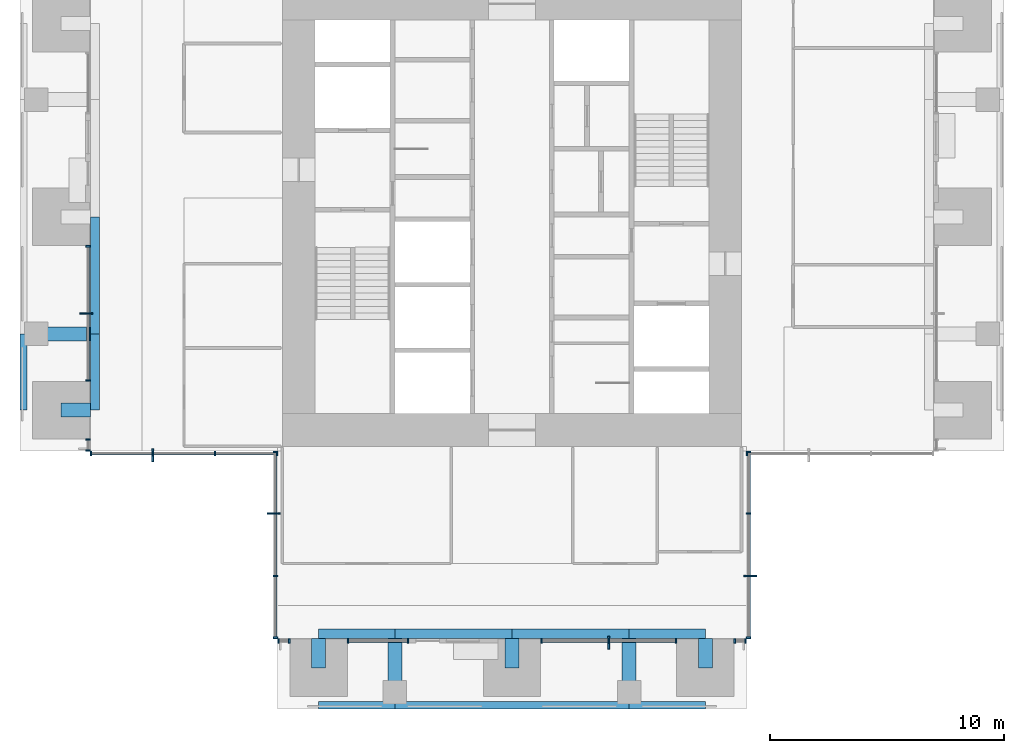
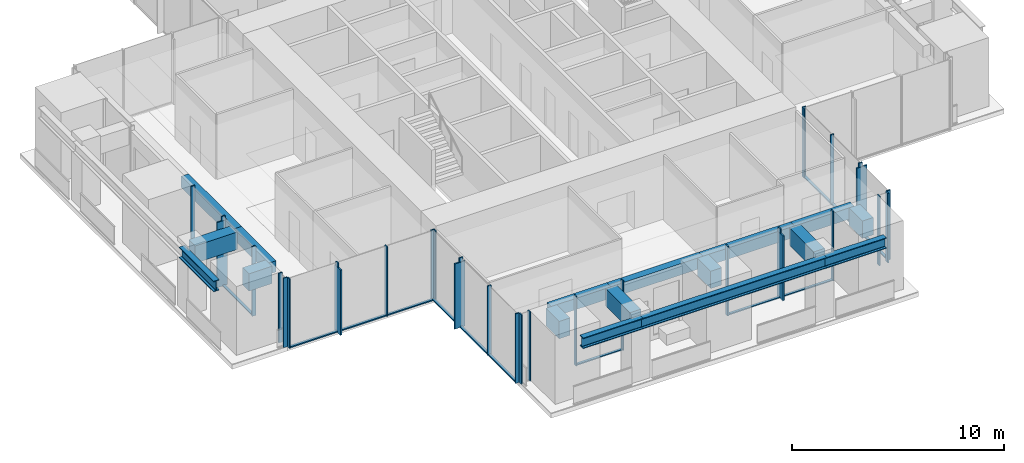
# One storey, part 2 of 17: 46 members, 17 beams, 10 elements without a shape of their own.
"""IFC4 building model written with IfcOpenShell, lengths in metres."""

from ifc_helpers import new_model, si_unit, direction, frame, origin, origin_2d, place, context, subcontext, project, spatial, rectangle, i_section, extrude, material, material_profile, profile_set, type_object, element, aggregate, save


model = new_model("IFC4")

# Units and contexts
model_context = context("Model", 3, precision=1e-05, world=origin(), true_north=direction((0.0, 1.0)))
body_context = subcontext(model_context, "Body", "Model", "MODEL_VIEW")
ifc_project = project(units=[si_unit("LENGTHUNIT", "METRE"), si_unit("AREAUNIT", "SQUARE_METRE"), si_unit("VOLUMEUNIT", "CUBIC_METRE"), si_unit("PLANEANGLEUNIT", "RADIAN"), si_unit("MASSUNIT", "GRAM", prefix="KILO")], contexts=[model_context])

# Site, building, storey
site_placement = place(None, origin())
site = spatial("IfcSite", under=ifc_project, at=site_placement, CompositionType="ELEMENT")
building_placement = place(site_placement, origin())
building = spatial("IfcBuilding", under=site, at=building_placement, Name="Svetlomir Tower", CompositionType="ELEMENT")
storey_placement = place(building_placement, frame((0.0, 0.0, 182.5)))
storey = spatial("IfcBuildingStorey", under=building, at=storey_placement, Name="L43", CompositionType="ELEMENT", Elevation=182.5)

# Curtain wall, member
ifc_material_1 = material(Name="Bronze anodised aluminium curtain wall", Category="aluminium")
curtain_wall_type = type_object("IfcCurtainWallType", Name="CURTAIN WALL CW1 TOWER OFFICE", PredefinedType="NOTDEFINED", material=ifc_material_1)
curtain_wall_1_placement = place(storey_placement, origin())
curtain_wall_1 = element("IfcCurtainWall", 1, at=curtain_wall_1_placement, inside=storey, type_object=curtain_wall_type, Name="Curtain wall CW1 L43", PredefinedType="NOTDEFINED")
ifc_material_2 = material(Name="Bronze anodised aluminium", Category="aluminium")
ifc_material_profile_1 = material_profile(ifc_material_2, rectangle(XDim=0.080078125, YDim=0.550048828125, at=origin_2d()), Name="FIN 80x550")
ifc_profile_set_1 = profile_set([ifc_material_profile_1], Name="Bronze anodised aluminium 6063-T6")
member_type_1 = type_object("IfcMemberType", Name="BRONZE FIN 80x550", PredefinedType="USERDEFINED", material=ifc_profile_set_1)
member_1_placement = place(storey_placement, frame((25.125, 2.824951171875, 0.0), z_axis=(0.0, 0.0, 1.0), x_axis=(1.0, 0.0, 0.0)))
member_1 = element("IfcMember", 2, at=member_1_placement, type_object=member_type_1, Name="Bronze fin L43", ObjectType="FIN", PredefinedType="USERDEFINED", context=body_context, shape_type="SweptSolid", body=[
    extrude(rectangle(XDim=0.080078125, YDim=0.550048828125, at=origin_2d()), origin(), (0.0, 0.0, 1.0), 3.75),
])

curtain_wall_2_placement = place(storey_placement, origin())
curtain_wall_2 = element("IfcCurtainWall", 3, at=curtain_wall_2_placement, inside=storey, type_object=curtain_wall_type, Name="Curtain wall CW1 L43", PredefinedType="NOTDEFINED")
member_2_placement = place(storey_placement, frame((31.175048828125, 5.666748046875, 0.0), z_axis=(0.0, 0.0, 1.0), x_axis=(0.0, 1.0, 0.0)))
member_2 = element("IfcMember", 4, at=member_2_placement, type_object=member_type_1, Name="Bronze fin L43", ObjectType="FIN", PredefinedType="USERDEFINED", context=body_context, shape_type="SweptSolid", body=[
    extrude(rectangle(XDim=0.080078125, YDim=0.550048828125, at=origin_2d()), origin(), (0.0, 0.0, 1.0), 3.75),
])

curtain_wall_3_placement = place(storey_placement, origin())
curtain_wall_3 = element("IfcCurtainWall", 5, at=curtain_wall_3_placement, inside=storey, type_object=curtain_wall_type, Name="Curtain wall CW1 L43", PredefinedType="NOTDEFINED")
member_3_placement = place(storey_placement, frame((2.824951171875, 16.875, 0.0), z_axis=(0.0, 0.0, 1.0), x_axis=(0.0, 1.0, 0.0)))
member_3 = element("IfcMember", 6, at=member_3_placement, type_object=member_type_1, Name="Bronze fin L43", ObjectType="FIN", PredefinedType="USERDEFINED", context=body_context, shape_type="SweptSolid", body=[
    extrude(rectangle(XDim=0.080078125, YDim=0.550048828125, at=origin_2d()), origin(), (0.0, 0.0, 1.0), 3.75),
])

curtain_wall_4_placement = place(storey_placement, origin())
curtain_wall_4 = element("IfcCurtainWall", 7, at=curtain_wall_4_placement, inside=storey, type_object=curtain_wall_type, Name="Curtain wall CW1 L43", PredefinedType="NOTDEFINED")
member_4_placement = place(storey_placement, frame((5.666748046875, 10.824951171875, 0.0), z_axis=(0.0, 0.0, 1.0), x_axis=(1.0, 0.0, 0.0)))
member_4 = element("IfcMember", 8, at=member_4_placement, type_object=member_type_1, Name="Bronze fin L43", ObjectType="FIN", PredefinedType="USERDEFINED", context=body_context, shape_type="SweptSolid", body=[
    extrude(rectangle(XDim=0.080078125, YDim=0.550048828125, at=origin_2d()), origin(), (0.0, 0.0, 1.0), 3.75),
])

curtain_wall_5_placement = place(storey_placement, origin())
curtain_wall_5 = element("IfcCurtainWall", 9, at=curtain_wall_5_placement, inside=storey, type_object=curtain_wall_type, Name="Curtain wall CW1 L43", PredefinedType="NOTDEFINED")
member_5_placement = place(storey_placement, frame((10.824951171875, 8.333251953125, 0.0), z_axis=(0.0, 0.0, 1.0), x_axis=(0.0, 1.0, 0.0)))
member_5 = element("IfcMember", 10, at=member_5_placement, type_object=member_type_1, Name="Bronze fin L43", ObjectType="FIN", PredefinedType="USERDEFINED", context=body_context, shape_type="SweptSolid", body=[
    extrude(rectangle(XDim=0.080078125, YDim=0.550048828125, at=origin_2d()), origin(), (0.0, 0.0, 1.0), 3.75),
])

# Curtain wall, members
curtain_wall_6_placement = place(storey_placement, origin())
curtain_wall_6 = element("IfcCurtainWall", 11, at=curtain_wall_6_placement, inside=storey, type_object=curtain_wall_type, Name="Curtain wall CW1 L43", PredefinedType="NOTDEFINED")
ifc_material_3 = material(Name="Bronze anodised aluminium", Category="aluminium")
ifc_material_profile_2 = material_profile(ifc_material_3, rectangle(XDim=0.06494140625, YDim=0.199951171875, at=origin_2d()), Name="AL 65x200")
ifc_profile_set_2 = profile_set([ifc_material_profile_2], Name="Bronze anodised aluminium 6063-T6")
member_type_2 = type_object("IfcMemberType", Name="CW1 MULLION 65x200", PredefinedType="MULLION", material=ifc_profile_set_2)
member_6_placement = place(storey_placement, frame((11.032470703125, 2.89990234375, 0.0), z_axis=(0.0, 0.0, 1.0), x_axis=(1.0, 0.0, 0.0)))
member_6 = element("IfcMember", 12, at=member_6_placement, type_object=member_type_2, Name="CW1 mullion 1", PredefinedType="MULLION", context=body_context, shape_type="SweptSolid", body=[
    extrude(rectangle(XDim=0.06494140625, YDim=0.199951171875, at=origin_2d()), origin(), (0.0, 0.0, 1.0), 4.0),
])
member_7_placement = place(storey_placement, frame((11.492431640625, 2.89990234375, 0.0), z_axis=(0.0, 0.0, 1.0), x_axis=(1.0, 0.0, 0.0)))
member_7 = element("IfcMember", 13, at=member_7_placement, type_object=member_type_2, Name="CW1 mullion 2", PredefinedType="MULLION", context=body_context, shape_type="SweptSolid", body=[
    extrude(rectangle(XDim=0.06494140625, YDim=0.199951171875, at=origin_2d()), origin(), (0.0, 0.0, 1.0), 4.0),
])
aggregate(curtain_wall_6, [member_6, member_7])

curtain_wall_7_placement = place(storey_placement, origin())
curtain_wall_7 = element("IfcCurtainWall", 14, at=curtain_wall_7_placement, inside=storey, type_object=curtain_wall_type, Name="Curtain wall CW1 L43", PredefinedType="NOTDEFINED")
member_8_placement = place(storey_placement, frame((14.007568359375, 2.89990234375, 0.0), z_axis=(0.0, 0.0, 1.0), x_axis=(1.0, 0.0, 0.0)))
member_8 = element("IfcMember", 15, at=member_8_placement, type_object=member_type_2, Name="CW1 mullion 1", PredefinedType="MULLION", context=body_context, shape_type="SweptSolid", body=[
    extrude(rectangle(XDim=0.06494140625, YDim=0.199951171875, at=origin_2d()), origin(), (0.0, 0.0, 1.0), 4.0),
])
member_9_placement = place(storey_placement, frame((16.5673828125, 2.89990234375, 0.0), z_axis=(0.0, 0.0, 1.0), x_axis=(1.0, 0.0, 0.0)))
member_9 = element("IfcMember", 16, at=member_9_placement, type_object=member_type_2, Name="CW1 mullion 2", PredefinedType="MULLION", context=body_context, shape_type="SweptSolid", body=[
    extrude(rectangle(XDim=0.06494140625, YDim=0.199951171875, at=origin_2d()), origin(), (0.0, 0.0, 1.0), 4.0),
])

# Member
member_10_placement = place(storey_placement, frame((22.257568359375, 2.89990234375, 0.0), z_axis=(0.0, 0.0, 1.0), x_axis=(1.0, 0.0, 0.0)))
member_10 = element("IfcMember", 17, at=member_10_placement, type_object=member_type_2, Name="CW1 mullion 1", PredefinedType="MULLION", context=body_context, shape_type="SweptSolid", body=[
    extrude(rectangle(XDim=0.06494140625, YDim=0.199951171875, at=origin_2d()), origin(), (0.0, 0.0, 1.0), 4.0),
])

member_11_placement = place(storey_placement, frame((25.125, 2.89990234375, 0.0), z_axis=(0.0, 0.0, 1.0), x_axis=(1.0, 0.0, 0.0)))
member_11 = element("IfcMember", 18, at=member_11_placement, type_object=member_type_2, Name="CW1 mullion 2", PredefinedType="MULLION", context=body_context, shape_type="SweptSolid", body=[
    extrude(rectangle(XDim=0.06494140625, YDim=0.199951171875, at=origin_2d()), origin(), (0.0, 0.0, 1.0), 4.0),
])

member_12_placement = place(storey_placement, frame((27.992431640625, 2.89990234375, 0.0), z_axis=(0.0, 0.0, 1.0), x_axis=(1.0, 0.0, 0.0)))
member_12 = element("IfcMember", 19, at=member_12_placement, type_object=member_type_2, Name="CW1 mullion 3", PredefinedType="MULLION", context=body_context, shape_type="SweptSolid", body=[
    extrude(rectangle(XDim=0.06494140625, YDim=0.199951171875, at=origin_2d()), origin(), (0.0, 0.0, 1.0), 4.0),
])

# Curtain wall, members
curtain_wall_8_placement = place(storey_placement, origin())
curtain_wall_8 = element("IfcCurtainWall", 20, at=curtain_wall_8_placement, inside=storey, type_object=curtain_wall_type, Name="Curtain wall CW1 L43", PredefinedType="NOTDEFINED")
member_13_placement = place(storey_placement, frame((30.507568359375, 2.89990234375, 0.0), z_axis=(0.0, 0.0, 1.0), x_axis=(1.0, 0.0, 0.0)))
member_13 = element("IfcMember", 21, at=member_13_placement, type_object=member_type_2, Name="CW1 mullion 1", PredefinedType="MULLION", context=body_context, shape_type="SweptSolid", body=[
    extrude(rectangle(XDim=0.06494140625, YDim=0.199951171875, at=origin_2d()), origin(), (0.0, 0.0, 1.0), 4.0),
])
member_14_placement = place(storey_placement, frame((30.967529296875, 2.89990234375, 0.0), z_axis=(0.0, 0.0, 1.0), x_axis=(1.0, 0.0, 0.0)))
member_14 = element("IfcMember", 22, at=member_14_placement, type_object=member_type_2, Name="CW1 mullion 2", PredefinedType="MULLION", context=body_context, shape_type="SweptSolid", body=[
    extrude(rectangle(XDim=0.06494140625, YDim=0.199951171875, at=origin_2d()), origin(), (0.0, 0.0, 1.0), 4.0),
])
aggregate(curtain_wall_8, [member_13, member_14])

# Member
member_15_placement = place(storey_placement, frame((31.10009765625, 3.032470703125, 0.0), z_axis=(0.0, 0.0, 1.0), x_axis=(0.0, 1.0, 0.0)))
member_15 = element("IfcMember", 23, at=member_15_placement, type_object=member_type_2, Name="CW1 mullion 1", PredefinedType="MULLION", context=body_context, shape_type="SweptSolid", body=[
    extrude(rectangle(XDim=0.06494140625, YDim=0.199951171875, at=origin_2d()), origin(), (0.0, 0.0, 1.0), 4.0),
])

member_16_placement = place(storey_placement, frame((31.10009765625, 5.666748046875, 0.0), z_axis=(0.0, 0.0, 1.0), x_axis=(0.0, 1.0, 0.0)))
member_16 = element("IfcMember", 24, at=member_16_placement, type_object=member_type_2, Name="CW1 mullion 2", PredefinedType="MULLION", context=body_context, shape_type="SweptSolid", body=[
    extrude(rectangle(XDim=0.06494140625, YDim=0.199951171875, at=origin_2d()), origin(), (0.0, 0.0, 1.0), 4.0),
])

member_17_placement = place(storey_placement, frame((31.10009765625, 8.333251953125, 0.0), z_axis=(0.0, 0.0, 1.0), x_axis=(0.0, 1.0, 0.0)))
member_17 = element("IfcMember", 25, at=member_17_placement, type_object=member_type_2, Name="CW1 mullion 3", PredefinedType="MULLION", context=body_context, shape_type="SweptSolid", body=[
    extrude(rectangle(XDim=0.06494140625, YDim=0.199951171875, at=origin_2d()), origin(), (0.0, 0.0, 1.0), 4.0),
])

member_18_placement = place(storey_placement, frame((31.10009765625, 10.967529296875, 0.0), z_axis=(0.0, 0.0, 1.0), x_axis=(0.0, 1.0, 0.0)))
member_18 = element("IfcMember", 26, at=member_18_placement, type_object=member_type_2, Name="CW1 mullion 4", PredefinedType="MULLION", context=body_context, shape_type="SweptSolid", body=[
    extrude(rectangle(XDim=0.06494140625, YDim=0.199951171875, at=origin_2d()), origin(), (0.0, 0.0, 1.0), 4.0),
])

# Curtain wall, member
curtain_wall_9_placement = place(storey_placement, origin())
curtain_wall_9 = element("IfcCurtainWall", 27, at=curtain_wall_9_placement, inside=storey, type_object=curtain_wall_type, Name="Curtain wall CW1 L43", PredefinedType="NOTDEFINED")
member_19_placement = place(storey_placement, frame((31.032470703125, 10.89990234375, 0.0), z_axis=(0.0, 0.0, 1.0), x_axis=(1.0, 0.0, 0.0)))
member_19 = element("IfcMember", 28, at=member_19_placement, type_object=member_type_2, Name="CW1 mullion 1", PredefinedType="MULLION", context=body_context, shape_type="SweptSolid", body=[
    extrude(rectangle(XDim=0.06494140625, YDim=0.199951171875, at=origin_2d()), origin(), (0.0, 0.0, 1.0), 4.0),
])
aggregate(curtain_wall_9, [member_19])

# Member
member_20_placement = place(storey_placement, frame((2.89990234375, 19.742431640625, 0.0), z_axis=(0.0, 0.0, 1.0), x_axis=(0.0, -1.0, 0.0)))
member_20 = element("IfcMember", 29, at=member_20_placement, type_object=member_type_2, Name="CW1 mullion 1", PredefinedType="MULLION", context=body_context, shape_type="SweptSolid", body=[
    extrude(rectangle(XDim=0.06494140625, YDim=0.199951171875, at=origin_2d()), origin(), (0.0, 0.0, 1.0), 4.0),
])

member_21_placement = place(storey_placement, frame((2.89990234375, 16.875, 0.0), z_axis=(0.0, 0.0, 1.0), x_axis=(0.0, -1.0, 0.0)))
member_21 = element("IfcMember", 30, at=member_21_placement, type_object=member_type_2, Name="CW1 mullion 2", PredefinedType="MULLION", context=body_context, shape_type="SweptSolid", body=[
    extrude(rectangle(XDim=0.06494140625, YDim=0.199951171875, at=origin_2d()), origin(), (0.0, 0.0, 1.0), 4.0),
])

member_22_placement = place(storey_placement, frame((2.89990234375, 14.007568359375, 0.0), z_axis=(0.0, 0.0, 1.0), x_axis=(0.0, -1.0, 0.0)))
member_22 = element("IfcMember", 31, at=member_22_placement, type_object=member_type_2, Name="CW1 mullion 3", PredefinedType="MULLION", context=body_context, shape_type="SweptSolid", body=[
    extrude(rectangle(XDim=0.06494140625, YDim=0.199951171875, at=origin_2d()), origin(), (0.0, 0.0, 1.0), 4.0),
])

# Curtain wall, members
curtain_wall_10_placement = place(storey_placement, origin())
curtain_wall_10 = element("IfcCurtainWall", 32, at=curtain_wall_10_placement, inside=storey, type_object=curtain_wall_type, Name="Curtain wall CW1 L43", PredefinedType="NOTDEFINED")
member_23_placement = place(storey_placement, frame((2.89990234375, 11.492431640625, 0.0), z_axis=(0.0, 0.0, 1.0), x_axis=(0.0, -1.0, 0.0)))
member_23 = element("IfcMember", 33, at=member_23_placement, type_object=member_type_2, Name="CW1 mullion 1", PredefinedType="MULLION", context=body_context, shape_type="SweptSolid", body=[
    extrude(rectangle(XDim=0.06494140625, YDim=0.199951171875, at=origin_2d()), origin(), (0.0, 0.0, 1.0), 4.0),
])
member_24_placement = place(storey_placement, frame((2.89990234375, 11.032470703125, 0.0), z_axis=(0.0, 0.0, 1.0), x_axis=(0.0, -1.0, 0.0)))
member_24 = element("IfcMember", 34, at=member_24_placement, type_object=member_type_2, Name="CW1 mullion 2", PredefinedType="MULLION", context=body_context, shape_type="SweptSolid", body=[
    extrude(rectangle(XDim=0.06494140625, YDim=0.199951171875, at=origin_2d()), origin(), (0.0, 0.0, 1.0), 4.0),
])
aggregate(curtain_wall_10, [member_23, member_24])

# Member
member_25_placement = place(storey_placement, frame((3.032470703125, 10.89990234375, 0.0), z_axis=(0.0, 0.0, 1.0), x_axis=(1.0, 0.0, 0.0)))
member_25 = element("IfcMember", 35, at=member_25_placement, type_object=member_type_2, Name="CW1 mullion 1", PredefinedType="MULLION", context=body_context, shape_type="SweptSolid", body=[
    extrude(rectangle(XDim=0.06494140625, YDim=0.199951171875, at=origin_2d()), origin(), (0.0, 0.0, 1.0), 4.0),
])

member_26_placement = place(storey_placement, frame((5.666748046875, 10.89990234375, 0.0), z_axis=(0.0, 0.0, 1.0), x_axis=(1.0, 0.0, 0.0)))
member_26 = element("IfcMember", 36, at=member_26_placement, type_object=member_type_2, Name="CW1 mullion 2", PredefinedType="MULLION", context=body_context, shape_type="SweptSolid", body=[
    extrude(rectangle(XDim=0.06494140625, YDim=0.199951171875, at=origin_2d()), origin(), (0.0, 0.0, 1.0), 4.0),
])

member_27_placement = place(storey_placement, frame((8.333251953125, 10.89990234375, 0.0), z_axis=(0.0, 0.0, 1.0), x_axis=(1.0, 0.0, 0.0)))
member_27 = element("IfcMember", 37, at=member_27_placement, type_object=member_type_2, Name="CW1 mullion 3", PredefinedType="MULLION", context=body_context, shape_type="SweptSolid", body=[
    extrude(rectangle(XDim=0.06494140625, YDim=0.199951171875, at=origin_2d()), origin(), (0.0, 0.0, 1.0), 4.0),
])

member_28_placement = place(storey_placement, frame((10.967529296875, 10.89990234375, 0.0), z_axis=(0.0, 0.0, 1.0), x_axis=(1.0, 0.0, 0.0)))
member_28 = element("IfcMember", 38, at=member_28_placement, type_object=member_type_2, Name="CW1 mullion 4", PredefinedType="MULLION", context=body_context, shape_type="SweptSolid", body=[
    extrude(rectangle(XDim=0.06494140625, YDim=0.199951171875, at=origin_2d()), origin(), (0.0, 0.0, 1.0), 4.0),
])

member_29_placement = place(storey_placement, frame((10.89990234375, 10.967529296875, 0.0), z_axis=(0.0, 0.0, 1.0), x_axis=(0.0, -1.0, 0.0)))
member_29 = element("IfcMember", 39, at=member_29_placement, type_object=member_type_2, Name="CW1 mullion 1", PredefinedType="MULLION", context=body_context, shape_type="SweptSolid", body=[
    extrude(rectangle(XDim=0.06494140625, YDim=0.199951171875, at=origin_2d()), origin(), (0.0, 0.0, 1.0), 4.0),
])

member_30_placement = place(storey_placement, frame((10.89990234375, 8.333251953125, 0.0), z_axis=(0.0, 0.0, 1.0), x_axis=(0.0, -1.0, 0.0)))
member_30 = element("IfcMember", 40, at=member_30_placement, type_object=member_type_2, Name="CW1 mullion 2", PredefinedType="MULLION", context=body_context, shape_type="SweptSolid", body=[
    extrude(rectangle(XDim=0.06494140625, YDim=0.199951171875, at=origin_2d()), origin(), (0.0, 0.0, 1.0), 4.0),
])

member_31_placement = place(storey_placement, frame((10.89990234375, 5.666748046875, 0.0), z_axis=(0.0, 0.0, 1.0), x_axis=(0.0, -1.0, 0.0)))
member_31 = element("IfcMember", 41, at=member_31_placement, type_object=member_type_2, Name="CW1 mullion 3", PredefinedType="MULLION", context=body_context, shape_type="SweptSolid", body=[
    extrude(rectangle(XDim=0.06494140625, YDim=0.199951171875, at=origin_2d()), origin(), (0.0, 0.0, 1.0), 4.0),
])

member_32_placement = place(storey_placement, frame((10.89990234375, 3.032470703125, 0.0), z_axis=(0.0, 0.0, 1.0), x_axis=(0.0, -1.0, 0.0)))
member_32 = element("IfcMember", 42, at=member_32_placement, type_object=member_type_2, Name="CW1 mullion 4", PredefinedType="MULLION", context=body_context, shape_type="SweptSolid", body=[
    extrude(rectangle(XDim=0.06494140625, YDim=0.199951171875, at=origin_2d()), origin(), (0.0, 0.0, 1.0), 4.0),
])

ifc_material_4 = material(Name="Bronze anodised aluminium", Category="aluminium")
ifc_material_profile_3 = material_profile(ifc_material_4, rectangle(XDim=0.139892578125, YDim=0.06494140625, at=origin_2d()), Name="AL 140x65")
ifc_profile_set_3 = profile_set([ifc_material_profile_3], Name="Bronze anodised aluminium 6063-T6")
member_type_3 = type_object("IfcMemberType", Name="CW1 TRANSOM 65x140", PredefinedType="USERDEFINED", material=ifc_profile_set_3)
member_33_placement = place(storey_placement, frame((14.0400390625, 2.89990234375, 0.032470703125), z_axis=(1.0, 0.0, 0.0), x_axis=(0.0, 1.0, 0.0)))
member_33 = element("IfcMember", 43, at=member_33_placement, type_object=member_type_3, Name="CW1 transom 1.1", ObjectType="TRANSOM", PredefinedType="USERDEFINED", context=body_context, shape_type="SweptSolid", body=[
    extrude(rectangle(XDim=0.139892578125, YDim=0.06494140625, at=origin_2d()), origin(), (0.0, 0.0, 1.0), 2.494873046875),
])

aggregate(curtain_wall_7, [member_8, member_9, member_33])

member_34_placement = place(storey_placement, frame((22.2900390625, 2.89990234375, 0.032470703125), z_axis=(1.0, 0.0, 0.0), x_axis=(0.0, 1.0, 0.0)))
member_34 = element("IfcMember", 44, at=member_34_placement, type_object=member_type_3, Name="CW1 transom 1.1", ObjectType="TRANSOM", PredefinedType="USERDEFINED", context=body_context, shape_type="SweptSolid", body=[
    extrude(rectangle(XDim=0.139892578125, YDim=0.06494140625, at=origin_2d()), origin(), (0.0, 0.0, 1.0), 2.802490234375),
])

member_35_placement = place(storey_placement, frame((25.157470703125, 2.89990234375, 0.032470703125), z_axis=(1.0, 0.0, 0.0), x_axis=(0.0, 1.0, 0.0)))
member_35 = element("IfcMember", 45, at=member_35_placement, type_object=member_type_3, Name="CW1 transom 2.1", ObjectType="TRANSOM", PredefinedType="USERDEFINED", context=body_context, shape_type="SweptSolid", body=[
    extrude(rectangle(XDim=0.139892578125, YDim=0.06494140625, at=origin_2d()), origin(), (0.0, 0.0, 1.0), 2.802490234375),
])

aggregate(curtain_wall_1, [member_10, member_11, member_12, member_34, member_35, member_1])

member_36_placement = place(storey_placement, frame((31.10009765625, 3.06494140625, 0.032470703125), z_axis=(0.0, 1.0, 0.0), x_axis=(-1.0, 0.0, 0.0)))
member_36 = element("IfcMember", 46, at=member_36_placement, type_object=member_type_3, Name="CW1 transom 1.1", ObjectType="TRANSOM", PredefinedType="USERDEFINED", context=body_context, shape_type="SweptSolid", body=[
    extrude(rectangle(XDim=0.139892578125, YDim=0.06494140625, at=origin_2d()), origin(), (0.0, 0.0, 1.0), 2.5693359375),
])

member_37_placement = place(storey_placement, frame((31.10009765625, 5.69921875, 0.032470703125), z_axis=(0.0, 1.0, 0.0), x_axis=(-1.0, 0.0, 0.0)))
member_37 = element("IfcMember", 47, at=member_37_placement, type_object=member_type_3, Name="CW1 transom 2.1", ObjectType="TRANSOM", PredefinedType="USERDEFINED", context=body_context, shape_type="SweptSolid", body=[
    extrude(rectangle(XDim=0.139892578125, YDim=0.06494140625, at=origin_2d()), origin(), (0.0, 0.0, 1.0), 2.6015625),
])

member_38_placement = place(storey_placement, frame((31.10009765625, 8.36572265625, 0.032470703125), z_axis=(0.0, 1.0, 0.0), x_axis=(-1.0, 0.0, 0.0)))
member_38 = element("IfcMember", 48, at=member_38_placement, type_object=member_type_3, Name="CW1 transom 3.1", ObjectType="TRANSOM", PredefinedType="USERDEFINED", context=body_context, shape_type="SweptSolid", body=[
    extrude(rectangle(XDim=0.139892578125, YDim=0.06494140625, at=origin_2d()), origin(), (0.0, 0.0, 1.0), 2.5693359375),
])

aggregate(curtain_wall_2, [member_15, member_16, member_17, member_18, member_36, member_37, member_38, member_2])

member_39_placement = place(storey_placement, frame((2.89990234375, 19.7099609375, 0.032470703125), z_axis=(0.0, -1.0, 0.0), x_axis=(1.0, 0.0, 0.0)))
member_39 = element("IfcMember", 49, at=member_39_placement, type_object=member_type_3, Name="CW1 transom 1.1", ObjectType="TRANSOM", PredefinedType="USERDEFINED", context=body_context, shape_type="SweptSolid", body=[
    extrude(rectangle(XDim=0.139892578125, YDim=0.06494140625, at=origin_2d()), origin(), (0.0, 0.0, 1.0), 2.802490234375),
])

member_40_placement = place(storey_placement, frame((2.89990234375, 16.842529296875, 0.032470703125), z_axis=(0.0, -1.0, 0.0), x_axis=(1.0, 0.0, 0.0)))
member_40 = element("IfcMember", 50, at=member_40_placement, type_object=member_type_3, Name="CW1 transom 2.1", ObjectType="TRANSOM", PredefinedType="USERDEFINED", context=body_context, shape_type="SweptSolid", body=[
    extrude(rectangle(XDim=0.139892578125, YDim=0.06494140625, at=origin_2d()), origin(), (0.0, 0.0, 1.0), 2.802490234375),
])

aggregate(curtain_wall_3, [member_20, member_21, member_22, member_39, member_40, member_3])

member_41_placement = place(storey_placement, frame((3.06494140625, 10.89990234375, 0.032470703125), z_axis=(1.0, 0.0, 0.0), x_axis=(0.0, 1.0, 0.0)))
member_41 = element("IfcMember", 51, at=member_41_placement, type_object=member_type_3, Name="CW1 transom 1.1", ObjectType="TRANSOM", PredefinedType="USERDEFINED", context=body_context, shape_type="SweptSolid", body=[
    extrude(rectangle(XDim=0.139892578125, YDim=0.06494140625, at=origin_2d()), origin(), (0.0, 0.0, 1.0), 2.5693359375),
])

member_42_placement = place(storey_placement, frame((5.69921875, 10.89990234375, 0.032470703125), z_axis=(1.0, 0.0, 0.0), x_axis=(0.0, 1.0, 0.0)))
member_42 = element("IfcMember", 52, at=member_42_placement, type_object=member_type_3, Name="CW1 transom 2.1", ObjectType="TRANSOM", PredefinedType="USERDEFINED", context=body_context, shape_type="SweptSolid", body=[
    extrude(rectangle(XDim=0.139892578125, YDim=0.06494140625, at=origin_2d()), origin(), (0.0, 0.0, 1.0), 2.6015625),
])

member_43_placement = place(storey_placement, frame((8.36572265625, 10.89990234375, 0.032470703125), z_axis=(1.0, 0.0, 0.0), x_axis=(0.0, 1.0, 0.0)))
member_43 = element("IfcMember", 53, at=member_43_placement, type_object=member_type_3, Name="CW1 transom 3.1", ObjectType="TRANSOM", PredefinedType="USERDEFINED", context=body_context, shape_type="SweptSolid", body=[
    extrude(rectangle(XDim=0.139892578125, YDim=0.06494140625, at=origin_2d()), origin(), (0.0, 0.0, 1.0), 2.5693359375),
])

aggregate(curtain_wall_4, [member_25, member_26, member_27, member_28, member_41, member_42, member_43, member_4])

member_44_placement = place(storey_placement, frame((10.89990234375, 10.93505859375, 0.032470703125), z_axis=(0.0, -1.0, 0.0), x_axis=(1.0, 0.0, 0.0)))
member_44 = element("IfcMember", 54, at=member_44_placement, type_object=member_type_3, Name="CW1 transom 1.1", ObjectType="TRANSOM", PredefinedType="USERDEFINED", context=body_context, shape_type="SweptSolid", body=[
    extrude(rectangle(XDim=0.139892578125, YDim=0.06494140625, at=origin_2d()), origin(), (0.0, 0.0, 1.0), 2.5693359375),
])

member_45_placement = place(storey_placement, frame((10.89990234375, 8.30078125, 0.032470703125), z_axis=(0.0, -1.0, 0.0), x_axis=(1.0, 0.0, 0.0)))
member_45 = element("IfcMember", 55, at=member_45_placement, type_object=member_type_3, Name="CW1 transom 2.1", ObjectType="TRANSOM", PredefinedType="USERDEFINED", context=body_context, shape_type="SweptSolid", body=[
    extrude(rectangle(XDim=0.139892578125, YDim=0.06494140625, at=origin_2d()), origin(), (0.0, 0.0, 1.0), 2.6015625),
])

member_46_placement = place(storey_placement, frame((10.89990234375, 5.63427734375, 0.032470703125), z_axis=(0.0, -1.0, 0.0), x_axis=(1.0, 0.0, 0.0)))
member_46 = element("IfcMember", 56, at=member_46_placement, type_object=member_type_3, Name="CW1 transom 3.1", ObjectType="TRANSOM", PredefinedType="USERDEFINED", context=body_context, shape_type="SweptSolid", body=[
    extrude(rectangle(XDim=0.139892578125, YDim=0.06494140625, at=origin_2d()), origin(), (0.0, 0.0, 1.0), 2.5693359375),
])

aggregate(curtain_wall_5, [member_29, member_30, member_31, member_32, member_44, member_45, member_46, member_5])

# Beams
ifc_material_5 = material(Name="Steel S355", Category="steel")
ifc_material_profile_4 = material_profile(ifc_material_5, i_section(OverallWidth=0.304931640625, OverallDepth=0.6201171875, WebThickness=0.02099609375, FlangeThickness=0.0400390625, FilletRadius=0.027099609375, at=origin_2d()), Name="HEM 600")
ifc_profile_set_4 = profile_set([ifc_material_profile_4], Name="Steel S355")
beam_type_1 = type_object("IfcBeamType", Name="EDGE BEAM HEM 600", PredefinedType="SPANDREL", material=ifc_profile_set_4)
for number, where, z_axis, x_axis, name in (
    (57, (12.75, 0.152587890625, 3.43994140625), (1.0, 0.0, 0.0), (0.0, 1.0, 0.0), "Edge beam 11/0 to 16/0 under L44"),
    (58, (0.152587890625, 12.75, 3.43994140625), (0.0, 1.0, 0.0), (-1.0, 0.0, 0.0), "Edge beam 0/11 to 0/16 under L44"),
):
    element("IfcBeam", number, at=place(storey_placement, frame(where, z_axis=z_axis, x_axis=x_axis)), inside=storey, type_object=beam_type_1, Name=name, PredefinedType="SPANDREL", context=body_context, shape_type="SweptSolid", body=[
        extrude(i_section(OverallWidth=0.304931640625, OverallDepth=0.6201171875, WebThickness=0.02099609375, FlangeThickness=0.0400390625, FilletRadius=0.027099609375, at=origin_2d()), origin(), (0.0, 0.0, 1.0), 3.25),
    ])
beam_1_placement = place(storey_placement, frame((16.0, 0.152587890625, 3.43994140625), z_axis=(1.0, 0.0, 0.0), x_axis=(0.0, 1.0, 0.0)))
element("IfcBeam", 59, at=beam_1_placement, inside=storey, type_object=beam_type_1, Name="Edge beam 16/0 to 26/0 under L44", PredefinedType="SPANDREL", context=body_context, shape_type="SweptSolid", body=[
    extrude(i_section(OverallWidth=0.304931640625, OverallDepth=0.6201171875, WebThickness=0.02099609375, FlangeThickness=0.0400390625, FilletRadius=0.027099609375, at=origin_2d()), origin(), (0.0, 0.0, 1.0), 10.0),
])
beam_2_placement = place(storey_placement, frame((26.0, 0.152587890625, 3.43994140625), z_axis=(1.0, 0.0, 0.0), x_axis=(0.0, 1.0, 0.0)))
element("IfcBeam", 60, at=beam_2_placement, inside=storey, type_object=beam_type_1, Name="Edge beam 26/0 to 31/0 under L44", PredefinedType="SPANDREL", context=body_context, shape_type="SweptSolid", body=[
    extrude(i_section(OverallWidth=0.304931640625, OverallDepth=0.6201171875, WebThickness=0.02099609375, FlangeThickness=0.0400390625, FilletRadius=0.027099609375, at=origin_2d()), origin(), (0.0, 0.0, 1.0), 3.25),
])
ifc_material_6 = material(Name="Concrete C60/75", Category="concrete")
ifc_material_profile_5 = material_profile(ifc_material_6, rectangle(XDim=0.39990234375, YDim=0.64990234375, at=origin_2d()), Name="RC 400x650")
ifc_profile_set_5 = profile_set([ifc_material_profile_5], Name="Concrete C60/75")
beam_type_2 = type_object("IfcBeamType", Name="FACADE EDGE BEAM RC 400x650", PredefinedType="BEAM", material=ifc_profile_set_5)
beam_3_placement = place(storey_placement, frame((12.75, 3.199951171875, 3.425048828125), z_axis=(1.0, 0.0, 0.0), x_axis=(0.0, 1.0, 0.0)))
element("IfcBeam", 61, at=beam_3_placement, inside=storey, type_object=beam_type_2, Name="Facade edge beam S 11 to 16 under L44", PredefinedType="BEAM", context=body_context, shape_type="SweptSolid", body=[
    extrude(rectangle(XDim=0.39990234375, YDim=0.64990234375, at=origin_2d()), origin(), (0.0, 0.0, 1.0), 3.25),
])
for number, where, z_axis, x_axis, name in (
    (62, (16.0, 3.199951171875, 3.425048828125), (1.0, 0.0, 0.0), (0.0, 1.0, 0.0), "Facade edge beam S 16 to 21 under L44"),
    (63, (21.0, 3.199951171875, 3.425048828125), (1.0, 0.0, 0.0), (0.0, 1.0, 0.0), "Facade edge beam S 21 to 26 under L44"),
):
    element("IfcBeam", number, at=place(storey_placement, frame(where, z_axis=z_axis, x_axis=x_axis)), inside=storey, type_object=beam_type_2, Name=name, PredefinedType="BEAM", context=body_context, shape_type="SweptSolid", body=[
        extrude(rectangle(XDim=0.39990234375, YDim=0.64990234375, at=origin_2d()), origin(), (0.0, 0.0, 1.0), 5.0),
    ])
for number, where, z_axis, x_axis, name in (
    (64, (26.0, 3.199951171875, 3.425048828125), (1.0, 0.0, 0.0), (0.0, 1.0, 0.0), "Facade edge beam S 26 to 31 under L44"),
    (65, (3.199951171875, 12.75, 3.425048828125), (0.0, 1.0, 0.0), (-1.0, 0.0, 0.0), "Facade edge beam W 11 to 16 under L44"),
):
    element("IfcBeam", number, at=place(storey_placement, frame(where, z_axis=z_axis, x_axis=x_axis)), inside=storey, type_object=beam_type_2, Name=name, PredefinedType="BEAM", context=body_context, shape_type="SweptSolid", body=[
        extrude(rectangle(XDim=0.39990234375, YDim=0.64990234375, at=origin_2d()), origin(), (0.0, 0.0, 1.0), 3.25),
    ])
beam_4_placement = place(storey_placement, frame((3.199951171875, 16.0, 3.425048828125), z_axis=(0.0, 1.0, 0.0), x_axis=(-1.0, 0.0, 0.0)))
element("IfcBeam", 66, at=beam_4_placement, inside=storey, type_object=beam_type_2, Name="Facade edge beam W 16 to 21 under L44", PredefinedType="BEAM", context=body_context, shape_type="SweptSolid", body=[
    extrude(rectangle(XDim=0.39990234375, YDim=0.64990234375, at=origin_2d()), origin(), (0.0, 0.0, 1.0), 5.0),
])
ifc_material_7 = material(Name="Concrete C60/75", Category="concrete")
ifc_material_profile_6 = material_profile(ifc_material_7, rectangle(XDim=0.60009765625, YDim=1.0, at=origin_2d()), Name="RC 600x1000")
ifc_profile_set_6 = profile_set([ifc_material_profile_6], Name="Concrete C60/75")
beam_type_3 = type_object("IfcBeamType", Name="LOGGIA LINK BEAM RC 600x1000", PredefinedType="BEAM", material=ifc_profile_set_6)
beam_5_placement = place(storey_placement, frame((12.75, 1.75, 3.25), z_axis=(0.0, 1.0, 0.0), x_axis=(-1.0, 0.0, 0.0)))
element("IfcBeam", 67, at=beam_5_placement, inside=storey, type_object=beam_type_3, Name="Loggia link beam S 11 under L44", PredefinedType="BEAM", context=body_context, shape_type="SweptSolid", body=[
    extrude(rectangle(XDim=0.60009765625, YDim=1.0, at=origin_2d()), origin(), (0.0, 0.0, 1.0), 1.25),
])
beam_6_placement = place(storey_placement, frame((16.0, 0.699951171875, 3.25), z_axis=(0.0, 1.0, 0.0), x_axis=(-1.0, 0.0, 0.0)))
element("IfcBeam", 68, at=beam_6_placement, inside=storey, type_object=beam_type_3, Name="Loggia link beam S 16 under L44", PredefinedType="BEAM", context=body_context, shape_type="SweptSolid", body=[
    extrude(rectangle(XDim=0.60009765625, YDim=1.0, at=origin_2d()), origin(), (0.0, 0.0, 1.0), 2.300048828125),
])
beam_7_placement = place(storey_placement, frame((21.0, 1.75, 3.25), z_axis=(0.0, 1.0, 0.0), x_axis=(-1.0, 0.0, 0.0)))
element("IfcBeam", 69, at=beam_7_placement, inside=storey, type_object=beam_type_3, Name="Loggia link beam S 21 under L44", PredefinedType="BEAM", context=body_context, shape_type="SweptSolid", body=[
    extrude(rectangle(XDim=0.60009765625, YDim=1.0, at=origin_2d()), origin(), (0.0, 0.0, 1.0), 1.25),
])
beam_8_placement = place(storey_placement, frame((26.0, 0.699951171875, 3.25), z_axis=(0.0, 1.0, 0.0), x_axis=(-1.0, 0.0, 0.0)))
element("IfcBeam", 70, at=beam_8_placement, inside=storey, type_object=beam_type_3, Name="Loggia link beam S 26 under L44", PredefinedType="BEAM", context=body_context, shape_type="SweptSolid", body=[
    extrude(rectangle(XDim=0.60009765625, YDim=1.0, at=origin_2d()), origin(), (0.0, 0.0, 1.0), 2.300048828125),
])
for number, where, z_axis, x_axis, name in (
    (71, (29.25, 1.75, 3.25), (0.0, 1.0, 0.0), (-1.0, 0.0, 0.0), "Loggia link beam S 31 under L44"),
    (72, (1.75, 12.75, 3.25), (1.0, 0.0, 0.0), (0.0, 1.0, 0.0), "Loggia link beam W 11 under L44"),
):
    element("IfcBeam", number, at=place(storey_placement, frame(where, z_axis=z_axis, x_axis=x_axis)), inside=storey, type_object=beam_type_3, Name=name, PredefinedType="BEAM", context=body_context, shape_type="SweptSolid", body=[
        extrude(rectangle(XDim=0.60009765625, YDim=1.0, at=origin_2d()), origin(), (0.0, 0.0, 1.0), 1.25),
    ])
beam_9_placement = place(storey_placement, frame((0.699951171875, 16.0, 3.25), z_axis=(1.0, 0.0, 0.0), x_axis=(0.0, 1.0, 0.0)))
element("IfcBeam", 73, at=beam_9_placement, inside=storey, type_object=beam_type_3, Name="Loggia link beam W 16 under L44", PredefinedType="BEAM", context=body_context, shape_type="SweptSolid", body=[
    extrude(rectangle(XDim=0.60009765625, YDim=1.0, at=origin_2d()), origin(), (0.0, 0.0, 1.0), 2.300048828125),
])

save(model, "model.ifc")
